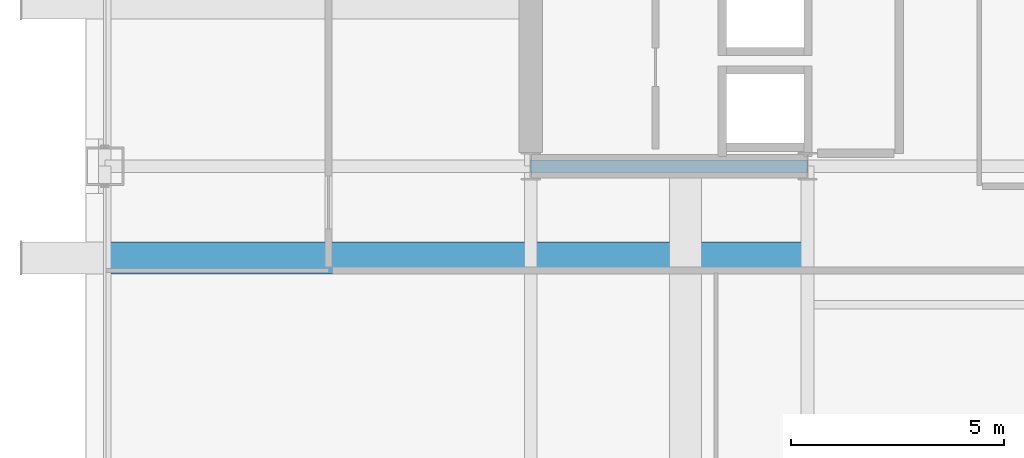
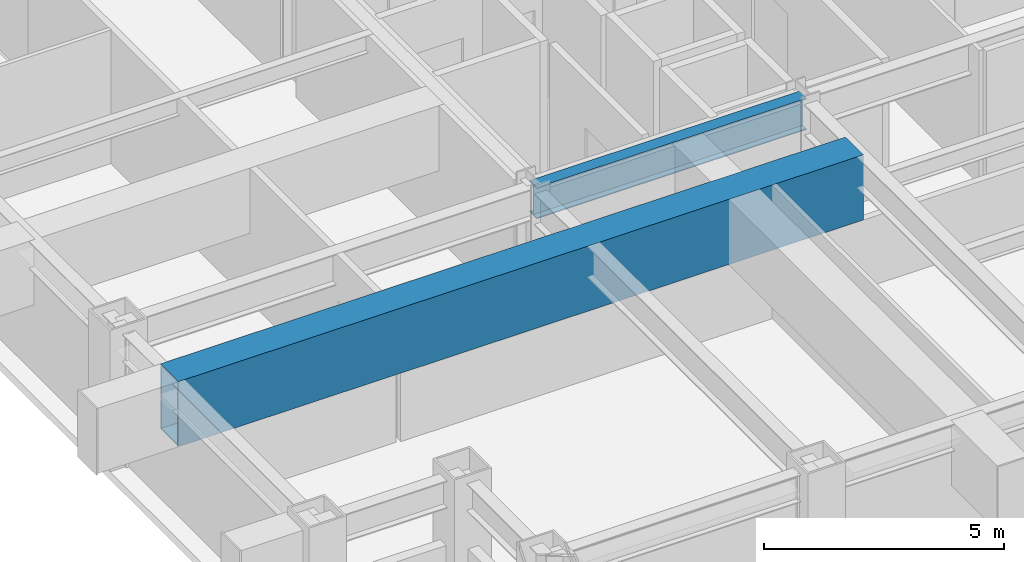
# One storey, part 5 of 29: 2 beams.
"""IFC4 building model written with IfcOpenShell, lengths in metres."""

from ifc_helpers import new_model, si_unit, direction, frame, origin, origin_2d, place, context, subcontext, project, spatial, hollow_rectangle, i_section, extrude, material, material_profile, profile_set, type_object, element, save


model = new_model("IFC4")

# Units and contexts
model_context = context("Model", 3, precision=1e-05, world=origin(), true_north=direction((0.0, 1.0)))
body_context = subcontext(model_context, "Body", "Model", "MODEL_VIEW")
ifc_project = project(units=[si_unit("LENGTHUNIT", "METRE"), si_unit("AREAUNIT", "SQUARE_METRE"), si_unit("VOLUMEUNIT", "CUBIC_METRE"), si_unit("PLANEANGLEUNIT", "RADIAN"), si_unit("MASSUNIT", "GRAM", prefix="KILO")], contexts=[model_context])

# Site, building, storey
site_placement = place(None, origin())
site = spatial("IfcSite", under=ifc_project, at=site_placement, CompositionType="ELEMENT")
building_placement = place(site_placement, origin())
building = spatial("IfcBuilding", under=site, at=building_placement, Name="Brelmoor Portico Tower", CompositionType="ELEMENT")
storey_placement = place(building_placement, frame((0.0, 0.0, 52.800048828125)))
storey = spatial("IfcBuildingStorey", under=building, at=storey_placement, Name="L13", CompositionType="ELEMENT", Elevation=52.800048828125)

# Beams
ifc_material = material(Name="Steel Q355B", Category="steel")
ifc_material_profile_1 = material_profile(ifc_material, i_section(OverallWidth=0.300048828125, OverallDepth=0.800048828125, WebThickness=0.013916015625, FlangeThickness=0.02587890625, at=origin_2d()), Name="HN 800x300x14x26")
ifc_profile_set_1 = profile_set([ifc_material_profile_1], Name="Steel Q355B")
beam_type_1 = type_object("IfcBeamType", Name="BM-PG-800", PredefinedType="BEAM", material=ifc_profile_set_1)
beam_1_placement = place(storey_placement, frame((-14.550048828125, -9.75, 3.0), z_axis=(1.0, 0.0, 0.0), x_axis=(0.0, 1.0, 0.0)))
element("IfcBeam", 1, at=beam_1_placement, inside=storey, type_object=beam_type_1, Name="L13 Primary Floor Girder PG-20", PredefinedType="BEAM", context=body_context, shape_type="SweptSolid", body=[
    extrude(i_section(OverallWidth=0.300048828125, OverallDepth=0.800048828125, WebThickness=0.013916015625, FlangeThickness=0.02587890625, at=origin_2d()), origin(), (0.0, 0.0, 1.0), 6.5),
])
ifc_material_profile_2 = material_profile(ifc_material, hollow_rectangle(XDim=0.75, YDim=1.659912109375, WallThickness=0.0419921875, at=origin_2d()), Name="BOX 750x1660x42")
ifc_profile_set_2 = profile_set([ifc_material_profile_2], Name="Steel Q355B")
beam_type_2 = type_object("IfcBeamType", Name="BM-TG-Z2", PredefinedType="BEAM", material=ifc_profile_set_2)
beam_2_placement = place(storey_placement, frame((-24.550048828125, -11.89990234375, 2.570068359375), z_axis=(1.0, 0.0, 0.0), x_axis=(0.0, 1.0, 0.0)))
element("IfcBeam", 2, at=beam_2_placement, inside=storey, type_object=beam_type_2, Name="L13 Picture-Frame Backspan Transfer Girder PFBS-03", PredefinedType="BEAM", context=body_context, shape_type="SweptSolid", body=[
    extrude(hollow_rectangle(XDim=0.75, YDim=1.659912109375, WallThickness=0.0419921875, at=origin_2d()), origin(), (0.0, 0.0, 1.0), 16.5),
])

save(model, "model.ifc")
